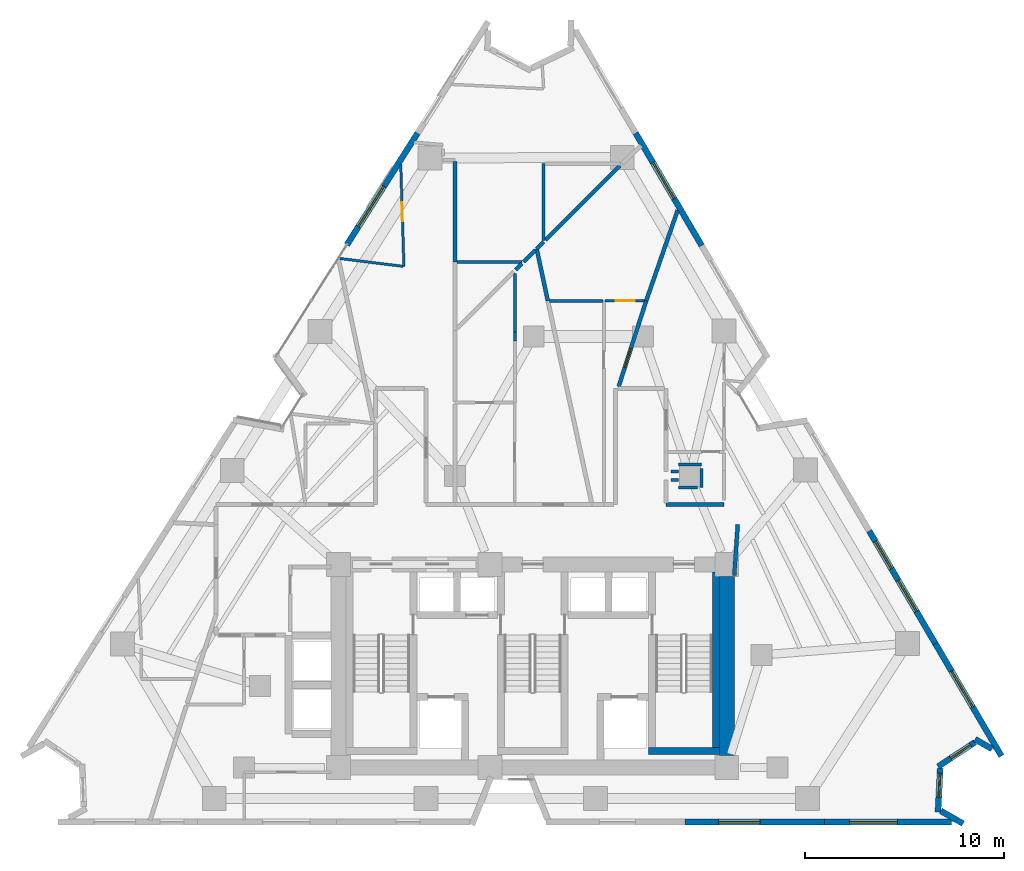
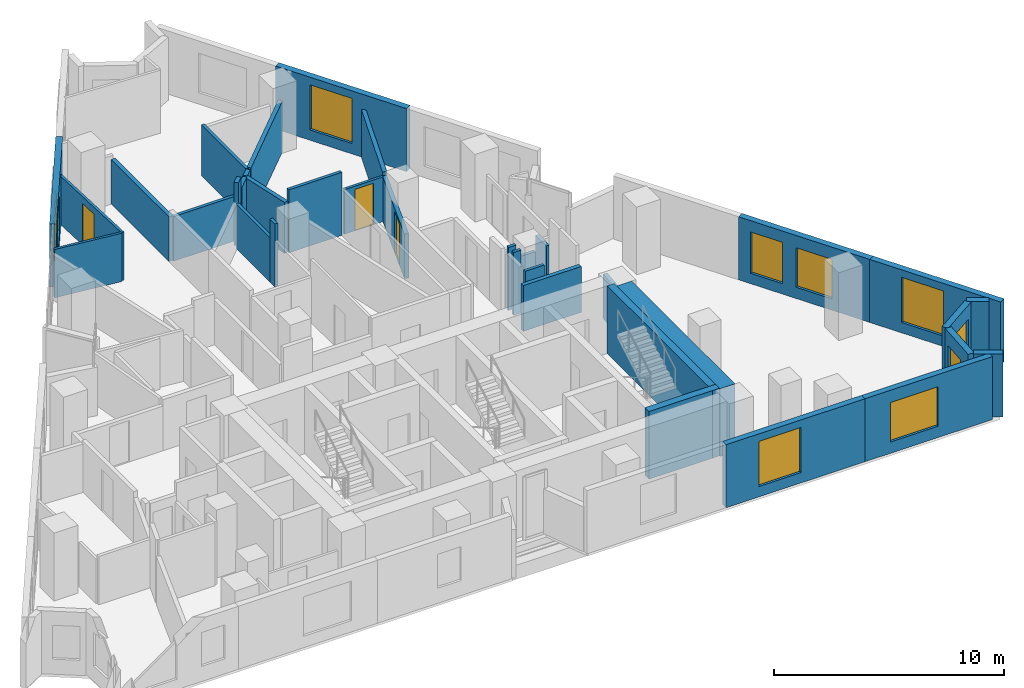
# One storey, part 8 of 12: 36 walls, 9 windows, 3 doors, 12 openings.
"""IFC4 building model written with IfcOpenShell, lengths in metres."""

from ifc_helpers import new_model, si_unit, direction, frame, frame_2d, origin, place, context, subcontext, project, spatial, rectangle, extrude, material, layer, layer_set, type_object, element, fill, save


model = new_model("IFC4")

# Units and contexts
model_context = context("Model", 3, precision=1e-05, world=origin(), true_north=direction((0.0, 1.0)))
body_context = subcontext(model_context, "Body", "Model", "MODEL_VIEW")
ifc_project = project(units=[si_unit("LENGTHUNIT", "METRE"), si_unit("AREAUNIT", "SQUARE_METRE"), si_unit("VOLUMEUNIT", "CUBIC_METRE"), si_unit("PLANEANGLEUNIT", "RADIAN"), si_unit("MASSUNIT", "GRAM", prefix="KILO")], contexts=[model_context])

# Site, building, storey
site_placement = place(None, origin())
site = spatial("IfcSite", under=ifc_project, at=site_placement, CompositionType="ELEMENT")
building_placement = place(site_placement, origin())
building = spatial("IfcBuilding", under=site, at=building_placement, Name="Almagre Mirador Tower", CompositionType="ELEMENT")
storey_placement = place(building_placement, frame((0.0, 0.0, 110.39990234375)))
storey = spatial("IfcBuildingStorey", under=building, at=storey_placement, Name="L27", CompositionType="ELEMENT", Elevation=110.39990234375)

# Wall, opening, window
ifc_material_1 = material(Name="Precast concrete C50/60", Category="concrete")
ifc_layer_1 = layer(ifc_material_1, 0.300048828125)
ifc_layer_set_1 = layer_set([ifc_layer_1], Name="Precast concrete C50/60")
wall_type_1 = type_object("IfcWallType", Name="WAL-EXT-300", PredefinedType="SOLIDWALL", material=ifc_layer_set_1)
wall_1_placement = place(storey_placement, frame((27.96435546875, 30.81005859375, 0.0), z_axis=(0.0, 0.0, 1.0), x_axis=(0.534892719091, 0.844919983823, 0.0)))
wall_1 = element("IfcWall", 1, at=wall_1_placement, inside=storey, type_object=wall_type_1, Name="L27 expressed almagre precast frame wall 03", PredefinedType="SOLIDWALL", context=body_context, shape_type="SweptSolid", body=[
    extrude(rectangle(XDim=6.6337890625, YDim=0.300048828125, at=frame_2d((3.31689453125, 0.0))), origin(), (0.0, 0.0, 1.0), 3.35009765625),
])
opening_1_placement = place(wall_1_placement, frame((1.074951171875, 0.0, 0.60009765625)))
opening_1 = element("IfcOpeningElement", 2, at=opening_1_placement, cuts=wall_1, Name="Opening WN-02", PredefinedType="OPENING", context=body_context, shape_type="SweptSolid", body=[
    extrude(rectangle(XDim=2.39990234375, YDim=2.10009765625, at=frame_2d((1.199951171875, 1.050048828125))), frame((0.0, 0.159902, 0.0), z_axis=(0.0, -1.0, 0.0), x_axis=(1.0, 0.0, 0.0)), (0.0, 0.0, 1.0), 0.320049),
])
ifc_material_2 = material(Name="Dark solar-control laminated hurricane glass", Category="glass")
window_type_1 = type_object("IfcWindowType", Name="WIN-2400X2100", PartitioningType="TRIPLE_PANEL_VERTICAL", PredefinedType="WINDOW", material=ifc_material_2)
window_1_placement = place(opening_1_placement, origin())
window_1 = element("IfcWindow", 3, at=window_1_placement, inside=storey, type_object=window_type_1, Name="L27 recessed hurricane window L27-UJ-KT", OverallHeight=2.10009765625, OverallWidth=2.39990234375, PartitioningType="SINGLE_PANEL", PredefinedType="WINDOW", context=body_context, shape_type="SweptSolid", body=[
    extrude(rectangle(XDim=2.39990234375, YDim=2.10009765625, at=frame_2d((1.199951171875, 1.050048828125))), frame((0.0, 0.030029296875, 0.0), z_axis=(0.0, -1.0, 0.0), x_axis=(1.0, 0.0, 0.0)), (0.0, 0.0, 1.0), 0.06005859375),
])
fill(opening_1, window_1)

wall_2_placement = place(storey_placement, frame((42.472412109375, 36.420166015625, 0.0), z_axis=(0.0, 0.0, 1.0), x_axis=(0.506315009763, -0.86234860172, 0.0)))
wall_2 = element("IfcWall", 4, at=wall_2_placement, inside=storey, type_object=wall_type_1, Name="L27 expressed almagre precast frame wall 10", PredefinedType="SOLIDWALL", context=body_context, shape_type="SweptSolid", body=[
    extrude(rectangle(XDim=6.553466796875, YDim=0.300048828125, at=frame_2d((3.27685546875, 0.0))), origin(), (0.0, 0.0, 1.0), 3.35009765625),
])
opening_2_placement = place(wall_2_placement, frame((1.72509765625, 0.0, 0.550048828125)))
opening_2 = element("IfcOpeningElement", 5, at=opening_2_placement, cuts=wall_2, Name="Opening WN-05", PredefinedType="OPENING", context=body_context, shape_type="SweptSolid", body=[
    extrude(rectangle(XDim=2.10009765625, YDim=2.39990234375, at=frame_2d((1.050048828125, 1.199951171875))), frame((0.0, 0.159902, 0.0), z_axis=(0.0, -1.0, 0.0), x_axis=(1.0, 0.0, 0.0)), (0.0, 0.0, 1.0), 0.320049),
])
ifc_material_3 = material(Name="Dark solar-control laminated hurricane glass", Category="glass")
window_type_2 = type_object("IfcWindowType", Name="WIN-2100X2400", PartitioningType="DOUBLE_PANEL_VERTICAL", PredefinedType="WINDOW", material=ifc_material_3)
window_2_placement = place(opening_2_placement, origin())
window_2 = element("IfcWindow", 6, at=window_2_placement, inside=storey, type_object=window_type_2, Name="L27 recessed hurricane window L27-UK-KT", OverallHeight=2.39990234375, OverallWidth=2.10009765625, PartitioningType="SINGLE_PANEL", PredefinedType="WINDOW", context=body_context, shape_type="SweptSolid", body=[
    extrude(rectangle(XDim=2.10009765625, YDim=2.39990234375, at=frame_2d((1.050048828125, 1.199951171875))), frame((0.0, 0.030029296875, 0.0), z_axis=(0.0, -1.0, 0.0), x_axis=(1.0, 0.0, 0.0)), (0.0, 0.0, 1.0), 0.06005859375),
])
fill(opening_2, window_2)

# Wall, openings, windows
wall_3_placement = place(storey_placement, frame((54.20947265625, 16.43115234375, 0.0), z_axis=(0.0, 0.0, 1.0), x_axis=(0.506315009763, -0.86234860172, 0.0)))
wall_3 = element("IfcWall", 7, at=wall_3_placement, inside=storey, type_object=wall_type_1, Name="L27 expressed almagre precast frame wall 15", PredefinedType="SOLIDWALL", context=body_context, shape_type="SweptSolid", body=[
    extrude(rectangle(XDim=6.553466796875, YDim=0.300048828125, at=frame_2d((3.27685546875, 0.0))), origin(), (0.0, 0.0, 1.0), 3.35009765625),
])
opening_3_placement = place(wall_3_placement, frame((2.875, 0.0, 0.60009765625)))
opening_3 = element("IfcOpeningElement", 8, at=opening_3_placement, cuts=wall_3, Name="Opening WN-01", PredefinedType="OPENING", context=body_context, shape_type="SweptSolid", body=[
    extrude(rectangle(XDim=1.800048828125, YDim=2.10009765625, at=frame_2d((0.89990234375, 1.050048828125))), frame((0.0, 0.159902, 0.0), z_axis=(0.0, -1.0, 0.0), x_axis=(1.0, 0.0, 0.0)), (0.0, 0.0, 1.0), 0.320049),
])
opening_4_placement = place(wall_3_placement, frame((0.60009765625, 0.0, 0.550048828125)))
opening_4 = element("IfcOpeningElement", 9, at=opening_4_placement, cuts=wall_3, Name="Opening WN-06", PredefinedType="OPENING", context=body_context, shape_type="SweptSolid", body=[
    extrude(rectangle(XDim=1.60009765625, YDim=2.199951171875, at=frame_2d((0.800048828125, 1.10009765625))), frame((0.0, 0.159902, 0.0), z_axis=(0.0, -1.0, 0.0), x_axis=(1.0, 0.0, 0.0)), (0.0, 0.0, 1.0), 0.320049),
])
ifc_material_4 = material(Name="Dark solar-control laminated hurricane glass", Category="glass")
window_type_3 = type_object("IfcWindowType", Name="WIN-1600X2200", PartitioningType="DOUBLE_PANEL_VERTICAL", PredefinedType="WINDOW", material=ifc_material_4)
window_3_placement = place(opening_4_placement, origin())
window_3 = element("IfcWindow", 10, at=window_3_placement, inside=storey, type_object=window_type_3, Name="L27 recessed hurricane window L27-UC-HB", OverallHeight=2.199951171875, OverallWidth=1.60009765625, PartitioningType="SINGLE_PANEL", PredefinedType="WINDOW", context=body_context, shape_type="SweptSolid", body=[
    extrude(rectangle(XDim=1.60009765625, YDim=2.199951171875, at=frame_2d((0.800048828125, 1.10009765625))), frame((0.0, 0.030029296875, 0.0), z_axis=(0.0, -1.0, 0.0), x_axis=(1.0, 0.0, 0.0)), (0.0, 0.0, 1.0), 0.06005859375),
])
fill(opening_4, window_3)
ifc_material_5 = material(Name="Dark solar-control laminated hurricane glass", Category="glass")
window_type_4 = type_object("IfcWindowType", Name="WIN-1800X2100", PartitioningType="DOUBLE_PANEL_VERTICAL", PredefinedType="WINDOW", material=ifc_material_5)
window_4_placement = place(opening_3_placement, origin())
window_4 = element("IfcWindow", 11, at=window_4_placement, inside=storey, type_object=window_type_4, Name="L27 recessed hurricane window L27-UC-LV", OverallHeight=2.10009765625, OverallWidth=1.800048828125, PartitioningType="SINGLE_PANEL", PredefinedType="WINDOW", context=body_context, shape_type="SweptSolid", body=[
    extrude(rectangle(XDim=1.800048828125, YDim=2.10009765625, at=frame_2d((0.89990234375, 1.050048828125))), frame((0.0, 0.030029296875, 0.0), z_axis=(0.0, -1.0, 0.0), x_axis=(1.0, 0.0, 0.0)), (0.0, 0.0, 1.0), 0.06005859375),
])
fill(opening_3, window_4)

# Wall, opening, window
wall_4_placement = place(storey_placement, frame((57.527587890625, 10.77978515625, 0.0), z_axis=(0.0, 0.0, 1.0), x_axis=(0.506342712509, -0.862332335871, 0.0)))
wall_4 = element("IfcWall", 12, at=wall_4_placement, inside=storey, type_object=wall_type_1, Name="L27 expressed almagre precast frame wall 16", PredefinedType="SOLIDWALL", context=body_context, shape_type="SweptSolid", body=[
    extrude(rectangle(XDim=6.553466796875, YDim=0.300048828125, at=frame_2d((3.27685546875, 0.0))), origin(), (0.0, 0.0, 1.0), 3.35009765625),
])
opening_5_placement = place(wall_4_placement, frame((1.60009765625, 0.0, 0.550048828125)))
opening_5 = element("IfcOpeningElement", 13, at=opening_5_placement, cuts=wall_4, Name="Opening WN-05", PredefinedType="OPENING", context=body_context, shape_type="SweptSolid", body=[
    extrude(rectangle(XDim=2.10009765625, YDim=2.39990234375, at=frame_2d((1.050048828125, 1.199951171875))), frame((0.0, 0.159902, 0.0), z_axis=(0.0, -1.0, 0.0), x_axis=(1.0, 0.0, 0.0)), (0.0, 0.0, 1.0), 0.320049),
])
window_5_placement = place(opening_5_placement, origin())
window_5 = element("IfcWindow", 14, at=window_5_placement, inside=storey, type_object=window_type_2, Name="L27 recessed hurricane window L27-UC-MB", OverallHeight=2.39990234375, OverallWidth=2.10009765625, PartitioningType="SINGLE_PANEL", PredefinedType="WINDOW", context=body_context, shape_type="SweptSolid", body=[
    extrude(rectangle(XDim=2.10009765625, YDim=2.39990234375, at=frame_2d((1.050048828125, 1.199951171875))), frame((0.0, 0.030029296875, 0.0), z_axis=(0.0, -1.0, 0.0), x_axis=(1.0, 0.0, 0.0)), (0.0, 0.0, 1.0), 0.06005859375),
])
fill(opening_5, window_5)

# Wall
wall_5_placement = place(storey_placement, frame((60.37158203125, 5.47998046875, 0.0), z_axis=(0.0, 0.0, 1.0), x_axis=(-0.867706517509, 0.497076854694, 0.0)))
element("IfcWall", 15, at=wall_5_placement, inside=storey, type_object=wall_type_1, Name="L27 expressed almagre precast frame wall 17", PredefinedType="SOLIDWALL", context=body_context, shape_type="SweptSolid", body=[
    extrude(rectangle(XDim=0.980712890625, YDim=0.300048828125, at=frame_2d((0.490234375, 0.0))), origin(), (0.0, 0.0, 1.0), 3.35009765625),
])

# Wall, opening, window
wall_6_placement = place(storey_placement, frame((59.52099609375, 5.818115234375, 0.0), z_axis=(0.0, 0.0, 1.0), x_axis=(-0.834712479674, -0.550686005158, 0.0)))
wall_6 = element("IfcWall", 16, at=wall_6_placement, inside=storey, type_object=wall_type_1, Name="L27 expressed almagre precast frame wall 18", PredefinedType="SOLIDWALL", context=body_context, shape_type="SweptSolid", body=[
    extrude(rectangle(XDim=2.22119140625, YDim=0.300048828125, at=frame_2d((1.110595703125, 0.0))), origin(), (0.0, 0.0, 1.0), 3.35009765625),
])
opening_6_placement = place(wall_6_placement, frame((0.264892578125, 0.0, 0.800048828125)))
opening_6 = element("IfcOpeningElement", 17, at=opening_6_placement, cuts=wall_6, Name="Opening WN-04", PredefinedType="OPENING", context=body_context, shape_type="SweptSolid", body=[
    extrude(rectangle(XDim=1.199951171875, YDim=1.800048828125, at=frame_2d((0.60009765625, 0.89990234375))), frame((0.0, 0.159902, 0.0), z_axis=(0.0, -1.0, 0.0), x_axis=(1.0, 0.0, 0.0)), (0.0, 0.0, 1.0), 0.320049),
])
ifc_material_6 = material(Name="Dark solar-control laminated hurricane glass", Category="glass")
window_type_5 = type_object("IfcWindowType", Name="WIN-1200X1800", PartitioningType="SINGLE_PANEL", PredefinedType="WINDOW", material=ifc_material_6)
window_6_placement = place(opening_6_placement, origin())
window_6 = element("IfcWindow", 18, at=window_6_placement, inside=storey, type_object=window_type_5, Name="L27 recessed hurricane window L27-UC-MB", OverallHeight=1.800048828125, OverallWidth=1.199951171875, PartitioningType="SINGLE_PANEL", PredefinedType="WINDOW", context=body_context, shape_type="SweptSolid", body=[
    extrude(rectangle(XDim=1.199951171875, YDim=1.800048828125, at=frame_2d((0.60009765625, 0.89990234375))), frame((0.0, 0.030029296875, 0.0), z_axis=(0.0, -1.0, 0.0), x_axis=(1.0, 0.0, 0.0)), (0.0, 0.0, 1.0), 0.06005859375),
])
fill(opening_6, window_6)

wall_7_placement = place(storey_placement, frame((57.77587890625, 4.51708984375, 0.0), z_axis=(0.0, 0.0, 1.0), x_axis=(-0.052535661709, -0.998619048611, 0.0)))
wall_7 = element("IfcWall", 19, at=wall_7_placement, inside=storey, type_object=wall_type_1, Name="L27 expressed almagre precast frame wall 19", PredefinedType="SOLIDWALL", context=body_context, shape_type="SweptSolid", body=[
    extrude(rectangle(XDim=2.212158203125, YDim=0.300048828125, at=frame_2d((1.10595703125, 0.0))), origin(), (0.0, 0.0, 1.0), 3.35009765625),
])
opening_7_placement = place(wall_7_placement, frame((0.2548828125, 0.0, 0.800048828125)))
opening_7 = element("IfcOpeningElement", 20, at=opening_7_placement, cuts=wall_7, Name="Opening WN-04", PredefinedType="OPENING", context=body_context, shape_type="SweptSolid", body=[
    extrude(rectangle(XDim=1.199951171875, YDim=1.800048828125, at=frame_2d((0.60009765625, 0.89990234375))), frame((0.0, 0.159902, 0.0), z_axis=(0.0, -1.0, 0.0), x_axis=(1.0, 0.0, 0.0)), (0.0, 0.0, 1.0), 0.320049),
])
window_7_placement = place(opening_7_placement, origin())
window_7 = element("IfcWindow", 21, at=window_7_placement, inside=storey, type_object=window_type_5, Name="L27 recessed hurricane window L27-UC-MB", OverallHeight=1.800048828125, OverallWidth=1.199951171875, PartitioningType="SINGLE_PANEL", PredefinedType="WINDOW", context=body_context, shape_type="SweptSolid", body=[
    extrude(rectangle(XDim=1.199951171875, YDim=1.800048828125, at=frame_2d((0.60009765625, 0.89990234375))), frame((0.0, 0.030029296875, 0.0), z_axis=(0.0, -1.0, 0.0), x_axis=(1.0, 0.0, 0.0)), (0.0, 0.0, 1.0), 0.06005859375),
])
fill(opening_7, window_7)

# Wall
wall_8_placement = place(storey_placement, frame((57.797119140625, 2.37353515625, 0.0), z_axis=(0.0, 0.0, 1.0), x_axis=(0.868034267217, -0.496504290955, 0.0)))
element("IfcWall", 22, at=wall_8_placement, inside=storey, type_object=wall_type_1, Name="L27 expressed almagre precast frame wall 20", PredefinedType="SOLIDWALL", context=body_context, shape_type="SweptSolid", body=[
    extrude(rectangle(XDim=1.295166015625, YDim=0.300048828125, at=frame_2d((0.6474609375, 0.0))), origin(), (0.0, 0.0, 1.0), 3.35009765625),
])

# Wall, opening, window
wall_9_placement = place(storey_placement, frame((58.35009765625, 1.800048828125, 0.0), z_axis=(0.0, 0.0, 1.0), x_axis=(-1.0, 0.0, 0.0)))
wall_9 = element("IfcWall", 23, at=wall_9_placement, inside=storey, type_object=wall_type_1, Name="L27 expressed almagre precast frame wall 21", PredefinedType="SOLIDWALL", context=body_context, shape_type="SweptSolid", body=[
    extrude(rectangle(XDim=6.4033203125, YDim=0.300048828125, at=frame_2d((3.20166015625, 0.0))), origin(), (0.0, 0.0, 1.0), 3.35009765625),
])
opening_8_placement = place(wall_9_placement, frame((2.735107421875, 0.0, 0.60009765625)))
opening_8 = element("IfcOpeningElement", 24, at=opening_8_placement, cuts=wall_9, Name="Opening WN-02", PredefinedType="OPENING", context=body_context, shape_type="SweptSolid", body=[
    extrude(rectangle(XDim=2.39990234375, YDim=2.10009765625, at=frame_2d((1.199951171875, 1.050048828125))), frame((0.0, 0.159902, 0.0), z_axis=(0.0, -1.0, 0.0), x_axis=(1.0, 0.0, 0.0)), (0.0, 0.0, 1.0), 0.320049),
])
window_8_placement = place(opening_8_placement, origin())
window_8 = element("IfcWindow", 25, at=window_8_placement, inside=storey, type_object=window_type_1, Name="L27 recessed hurricane window L27-UC-KT", OverallHeight=2.10009765625, OverallWidth=2.39990234375, PartitioningType="SINGLE_PANEL", PredefinedType="WINDOW", context=body_context, shape_type="SweptSolid", body=[
    extrude(rectangle(XDim=2.39990234375, YDim=2.10009765625, at=frame_2d((1.199951171875, 1.050048828125))), frame((0.0, 0.030029296875, 0.0), z_axis=(0.0, -1.0, 0.0), x_axis=(1.0, 0.0, 0.0)), (0.0, 0.0, 1.0), 0.06005859375),
])
fill(opening_8, window_8)

wall_10_placement = place(storey_placement, frame((51.94677734375, 1.800048828125, 0.0), z_axis=(0.0, 0.0, 1.0), x_axis=(-1.0, 0.0, 0.0)))
wall_10 = element("IfcWall", 26, at=wall_10_placement, inside=storey, type_object=wall_type_1, Name="L27 expressed almagre precast frame wall 22", PredefinedType="SOLIDWALL", context=body_context, shape_type="SweptSolid", body=[
    extrude(rectangle(XDim=6.993408203125, YDim=0.300048828125, at=frame_2d((3.49658203125, 0.0))), origin(), (0.0, 0.0, 1.0), 3.35009765625),
])
opening_9_placement = place(wall_10_placement, frame((3.22509765625, 0.0, 0.550048828125)))
opening_9 = element("IfcOpeningElement", 27, at=opening_9_placement, cuts=wall_10, Name="Opening WN-05", PredefinedType="OPENING", context=body_context, shape_type="SweptSolid", body=[
    extrude(rectangle(XDim=2.10009765625, YDim=2.39990234375, at=frame_2d((1.050048828125, 1.199951171875))), frame((0.0, 0.159902, 0.0), z_axis=(0.0, -1.0, 0.0), x_axis=(1.0, 0.0, 0.0)), (0.0, 0.0, 1.0), 0.320049),
])
window_9_placement = place(opening_9_placement, origin())
window_9 = element("IfcWindow", 28, at=window_9_placement, inside=storey, type_object=window_type_2, Name="L27 recessed hurricane window L27-RST-B", OverallHeight=2.39990234375, OverallWidth=2.10009765625, PartitioningType="SINGLE_PANEL", PredefinedType="WINDOW", context=body_context, shape_type="SweptSolid", body=[
    extrude(rectangle(XDim=2.10009765625, YDim=2.39990234375, at=frame_2d((1.050048828125, 1.199951171875))), frame((0.0, 0.030029296875, 0.0), z_axis=(0.0, -1.0, 0.0), x_axis=(1.0, 0.0, 0.0)), (0.0, 0.0, 1.0), 0.06005859375),
])
fill(opening_9, window_9)

# Wall, opening, door
ifc_material_7 = material(Name="Gypsum acoustic stud partition", Category="other")
ifc_layer_2 = layer(ifc_material_7, 0.125)
ifc_layer_set_2 = layer_set([ifc_layer_2], Name="Gypsum acoustic stud partition")
wall_type_2 = type_object("IfcWallType", Name="WAL-PRT-125-UTL", PredefinedType="PARTITIONING", material=ifc_layer_set_2)
wall_11_placement = place(storey_placement, frame((30.6708984375, 34.864990234375, 0.0), z_axis=(0.0, 0.0, 1.0), x_axis=(0.030923800782, -0.999521744909, 0.0)))
wall_11 = element("IfcWall", 29, at=wall_11_placement, inside=storey, type_object=wall_type_2, Name="L27 interior partition 076", PredefinedType="PARTITIONING", context=body_context, shape_type="SweptSolid", body=[
    extrude(rectangle(XDim=5.1474609375, YDim=0.125, at=frame_2d((2.57373046875, 0.0))), origin(), (0.0, 0.0, 1.0), 2.570068359375),
])
opening_10_placement = place(wall_11_placement, frame((1.92431640625, 0.0, 0.0)))
opening_10 = element("IfcOpeningElement", 30, at=opening_10_placement, cuts=wall_11, Name="Opening UD-01", PredefinedType="OPENING", context=body_context, shape_type="SweptSolid", body=[
    extrude(rectangle(XDim=0.949951171875, YDim=2.199951171875, at=frame_2d((0.47509765625, 1.10009765625))), frame((0.0, 0.0725, 0.0), z_axis=(0.0, -1.0, 0.0), x_axis=(1.0, 0.0, 0.0)), (0.0, 0.0, 1.0), 0.145),
])
ifc_material_8 = material(Name="Solid American walnut timber", Category="wood")
door_type_1 = type_object("IfcDoorType", Name="DOR-UNR-950X2200", OperationType="NOTDEFINED", PredefinedType="DOOR", material=ifc_material_8)
door_1_placement = place(opening_10_placement, origin())
door_1 = element("IfcDoor", 31, at=door_1_placement, inside=storey, type_object=door_type_1, Name="DR-0900 L27 interior door L27-UJ-LV to L27-UJ-KT", OperationType="SINGLE_SWING_RIGHT", OverallHeight=2.199951171875, OverallWidth=0.949951171875, PredefinedType="DOOR", context=body_context, shape_type="SweptSolid", body=[
    extrude(rectangle(XDim=0.949951171875, YDim=2.199951171875, at=frame_2d((0.47509765625, 1.10009765625))), frame((0.0, 0.02490234375, 0.0), z_axis=(0.0, -1.0, 0.0), x_axis=(1.0, 0.0, 0.0)), (0.0, 0.0, 1.0), 0.050048828125),
])
fill(opening_10, door_1)

# Wall
wall_12_placement = place(storey_placement, frame((27.617431640625, 30.118408203125, 0.0), z_axis=(0.0, 0.0, 1.0), x_axis=(0.992397517991, -0.123073824536, 0.0)))
element("IfcWall", 32, at=wall_12_placement, inside=storey, type_object=wall_type_2, Name="L27 interior partition 081", PredefinedType="PARTITIONING", context=body_context, shape_type="SweptSolid", body=[
    extrude(rectangle(XDim=3.189697265625, YDim=0.125, at=frame_2d((1.5947265625, 0.0))), origin(), (0.0, 0.0, 1.0), 2.570068359375),
])

# Wall, opening, door
wall_13_placement = place(storey_placement, frame((42.9150390625, 27.989990234375, 0.0), z_axis=(0.0, 0.0, 1.0), x_axis=(-1.0, 0.0, 0.0)))
wall_13 = element("IfcWall", 33, at=wall_13_placement, inside=storey, type_object=wall_type_2, Name="L27 interior partition 083", PredefinedType="PARTITIONING", context=body_context, shape_type="SweptSolid", body=[
    extrude(rectangle(XDim=1.97509765625, YDim=0.125, at=frame_2d((0.987548828125, 0.0))), origin(), (0.0, 0.0, 1.0), 2.3720703125),
])
opening_11_placement = place(wall_13_placement, frame((0.5, 0.0, 0.0)))
opening_11 = element("IfcOpeningElement", 34, at=opening_11_placement, cuts=wall_13, Name="Opening UD-01", PredefinedType="OPENING", context=body_context, shape_type="SweptSolid", body=[
    extrude(rectangle(XDim=0.949951171875, YDim=2.199951171875, at=frame_2d((0.47509765625, 1.10009765625))), frame((0.0, 0.0725, 0.0), z_axis=(0.0, -1.0, 0.0), x_axis=(1.0, 0.0, 0.0)), (0.0, 0.0, 1.0), 0.145),
])
door_2_placement = place(opening_11_placement, origin())
door_2 = element("IfcDoor", 35, at=door_2_placement, inside=storey, type_object=door_type_1, Name="DR-0901 L27 interior door L27-UK-ST to L27-UK-KT", OperationType="SINGLE_SWING_RIGHT", OverallHeight=2.199951171875, OverallWidth=0.949951171875, PredefinedType="DOOR", context=body_context, shape_type="SweptSolid", body=[
    extrude(rectangle(XDim=0.949951171875, YDim=2.199951171875, at=frame_2d((0.47509765625, 1.10009765625))), frame((0.0, 0.02490234375, 0.0), z_axis=(0.0, -1.0, 0.0), x_axis=(1.0, 0.0, 0.0)), (0.0, 0.0, 1.0), 0.050048828125),
])
fill(opening_11, door_2)

# Walls
ifc_material_9 = material(Name="Gypsum acoustic stud partition", Category="other")
ifc_layer_3 = layer(ifc_material_9, 0.14990234375)
ifc_layer_set_3 = layer_set([ifc_layer_3], Name="Gypsum acoustic stud partition")
wall_type_3 = type_object("IfcWallType", Name="WAL-PRT-150-STD", PredefinedType="PARTITIONING", material=ifc_layer_set_3)
wall_14_placement = place(storey_placement, frame((36.39990234375, 29.364990234375, 0.0), z_axis=(0.0, 0.0, 1.0), x_axis=(0.0, -1.0, 0.0)))
element("IfcWall", 36, at=wall_14_placement, inside=storey, type_object=wall_type_3, Name="L27 interior partition 058", PredefinedType="PARTITIONING", context=body_context, shape_type="SweptSolid", body=[
    extrude(rectangle(XDim=2.945068359375, YDim=0.14990234375, at=frame_2d((1.47265625, 0.0))), origin(), (0.0, 0.0, 1.0), 2.3720703125),
])
wall_15_placement = place(storey_placement, frame((40.820068359375, 27.989990234375, 0.0), z_axis=(0.0, 0.0, 1.0), x_axis=(-1.0, 0.0, 0.0)))
element("IfcWall", 37, at=wall_15_placement, inside=storey, type_object=wall_type_3, Name="L27 interior partition 084", PredefinedType="PARTITIONING", context=body_context, shape_type="SweptSolid", body=[
    extrude(rectangle(XDim=2.675048828125, YDim=0.14990234375, at=frame_2d((1.33740234375, 0.0))), origin(), (0.0, 0.0, 1.0), 3.35009765625),
])
wall_16_placement = place(storey_placement, frame((33.485107421875, 29.949951171875, 0.0), z_axis=(0.0, 0.0, 1.0), x_axis=(1.0, 0.0, 0.0)))
element("IfcWall", 38, at=wall_16_placement, inside=storey, type_object=wall_type_3, Name="L27 interior partition 088", PredefinedType="PARTITIONING", context=body_context, shape_type="SweptSolid", body=[
    extrude(rectangle(XDim=3.27978515625, YDim=0.14990234375, at=frame_2d((1.639892578125, 0.0))), origin(), (0.0, 0.0, 1.0), 2.3720703125),
])
wall_17_placement = place(storey_placement, frame((37.85009765625, 31.034912109375, 0.0), z_axis=(0.0, 0.0, 1.0), x_axis=(0.0, 1.0, 0.0)))
element("IfcWall", 39, at=wall_17_placement, inside=storey, type_object=wall_type_3, Name="L27 interior partition 091", PredefinedType="PARTITIONING", context=body_context, shape_type="SweptSolid", body=[
    extrude(rectangle(XDim=3.85498046875, YDim=0.14990234375, at=frame_2d((1.927490234375, 0.0))), origin(), (0.0, 0.0, 1.0), 2.708984375),
])
wall_18_placement = place(storey_placement, frame((36.39990234375, 25.97998046875, 0.0), z_axis=(0.0, 0.0, 1.0), x_axis=(0.0, 1.0, 0.0)))
element("IfcWall", 40, at=wall_18_placement, inside=storey, type_object=wall_type_3, Name="L27 interior partition 099", PredefinedType="PARTITIONING", context=body_context, shape_type="SweptSolid", body=[
    extrude(rectangle(XDim=0.43994140625, YDim=0.14990234375, at=frame_2d((0.219970703125, 0.0))), origin(), (0.0, 0.0, 1.0), 3.35009765625),
])
wall_19_placement = place(storey_placement, frame((44.239990234375, 19.419921875, 0.0), z_axis=(0.0, 0.0, 1.0), x_axis=(1.0, 0.0, 0.0)))
element("IfcWall", 41, at=wall_19_placement, inside=storey, type_object=wall_type_3, Name="L27 interior partition 100", PredefinedType="PARTITIONING", context=body_context, shape_type="SweptSolid", body=[
    extrude(rectangle(XDim=0.380126953125, YDim=0.14990234375, at=frame_2d((0.18994140625, 0.0))), origin(), (0.0, 0.0, 1.0), 3.35009765625),
])
wall_20_placement = place(storey_placement, frame((44.6201171875, 19.780029296875, 0.0), z_axis=(0.0, 0.0, 1.0), x_axis=(1.0, 0.0, 0.0)))
element("IfcWall", 42, at=wall_20_placement, inside=storey, type_object=wall_type_3, Name="L27 interior partition 101", PredefinedType="PARTITIONING", context=body_context, shape_type="SweptSolid", body=[
    extrude(rectangle(XDim=1.169921875, YDim=0.14990234375, at=frame_2d((0.5849609375, 0.0))), origin(), (0.0, 0.0, 1.0), 2.3720703125),
])
wall_21_placement = place(storey_placement, frame((45.7900390625, 19.56494140625, 0.0), z_axis=(0.0, 0.0, 1.0), x_axis=(0.0, -1.0, 0.0)))
element("IfcWall", 43, at=wall_21_placement, inside=storey, type_object=wall_type_3, Name="L27 interior partition 102", PredefinedType="PARTITIONING", context=body_context, shape_type="SweptSolid", body=[
    extrude(rectangle(XDim=0.94482421875, YDim=0.14990234375, at=frame_2d((0.472412109375, 0.0))), origin(), (0.0, 0.0, 1.0), 3.35009765625),
])
wall_22_placement = place(storey_placement, frame((45.574951171875, 18.6201171875, 0.0), z_axis=(0.0, 0.0, 1.0), x_axis=(-1.0, 0.0, 0.0)))
element("IfcWall", 44, at=wall_22_placement, inside=storey, type_object=wall_type_3, Name="L27 interior partition 103", PredefinedType="PARTITIONING", context=body_context, shape_type="SweptSolid", body=[
    extrude(rectangle(XDim=0.954833984375, YDim=0.14990234375, at=frame_2d((0.4775390625, 0.0))), origin(), (0.0, 0.0, 1.0), 2.43603515625),
])
wall_23_placement = place(storey_placement, frame((44.6201171875, 18.97998046875, 0.0), z_axis=(0.0, 0.0, 1.0), x_axis=(-1.0, 0.0, 0.0)))
element("IfcWall", 45, at=wall_23_placement, inside=storey, type_object=wall_type_3, Name="L27 interior partition 104", PredefinedType="PARTITIONING", context=body_context, shape_type="SweptSolid", body=[
    extrude(rectangle(XDim=0.380126953125, YDim=0.14990234375, at=frame_2d((0.18994140625, 0.0))), origin(), (0.0, 0.0, 1.0), 3.35009765625),
])
ifc_material_10 = material(Name="Gypsum acoustic stud partition", Category="other")
ifc_layer_4 = layer(ifc_material_10, 0.199951171875)
ifc_layer_set_4 = layer_set([ifc_layer_4], Name="Gypsum acoustic stud partition")
wall_type_4 = type_object("IfcWallType", Name="WAL-PRT-200-EI60", PredefinedType="PARTITIONING", material=ifc_layer_set_4)
wall_24_placement = place(storey_placement, frame((47.425048828125, 14.199951171875, 0.0), z_axis=(0.0, 0.0, 1.0), x_axis=(0.068484119878, 0.997652206595, 0.0)))
element("IfcWall", 46, at=wall_24_placement, inside=storey, type_object=wall_type_4, Name="L27 interior partition 004", PredefinedType="PARTITIONING", context=body_context, shape_type="SweptSolid", body=[
    extrude(rectangle(XDim=2.55615234375, YDim=0.199951171875, at=frame_2d((1.278076171875, 0.0))), origin(), (0.0, 0.0, 1.0), 2.3720703125),
])
wall_25_placement = place(storey_placement, frame((46.919921875, 17.75, 0.0), z_axis=(0.0, 0.0, 1.0), x_axis=(-1.0, 0.0, 0.0)))
element("IfcWall", 47, at=wall_25_placement, inside=storey, type_object=wall_type_4, Name="L27 interior partition 014", PredefinedType="PARTITIONING", context=body_context, shape_type="SweptSolid", body=[
    extrude(rectangle(XDim=2.919921875, YDim=0.199951171875, at=frame_2d((1.4599609375, 0.0))), origin(), (0.0, 0.0, 1.0), 2.43603515625),
])
wall_26_placement = place(storey_placement, frame((38.06005859375, 27.989990234375, 0.0), z_axis=(0.0, 0.0, 1.0), x_axis=(-0.209797646084, 0.977744827497, 0.0)))
element("IfcWall", 48, at=wall_26_placement, inside=storey, type_object=wall_type_4, Name="L27 interior partition 061", PredefinedType="PARTITIONING", context=body_context, shape_type="SweptSolid", body=[
    extrude(rectangle(XDim=2.66943359375, YDim=0.199951171875, at=frame_2d((1.334716796875, 0.0))), origin(), (0.0, 0.0, 1.0), 2.708984375),
])
wall_27_placement = place(storey_placement, frame((37.43994140625, 30.539794921875, 0.0), z_axis=(0.0, 0.0, 1.0), x_axis=(-0.707106781187, -0.707106781187, 0.0)))
element("IfcWall", 49, at=wall_27_placement, inside=storey, type_object=wall_type_4, Name="L27 interior partition 062", PredefinedType="PARTITIONING", context=body_context, shape_type="SweptSolid", body=[
    extrude(rectangle(XDim=0.834228515625, YDim=0.199951171875, at=frame_2d((0.4169921875, 0.0))), origin(), (0.0, 0.0, 1.0), 2.708984375),
])
wall_28_placement = place(storey_placement, frame((36.758056640625, 29.858154296875, 0.0), z_axis=(0.0, 0.0, 1.0), x_axis=(-0.707106781187, -0.707106781187, 0.0)))
element("IfcWall", 50, at=wall_28_placement, inside=storey, type_object=wall_type_4, Name="L27 interior partition 063", PredefinedType="PARTITIONING", context=body_context, shape_type="SweptSolid", body=[
    extrude(rectangle(XDim=0.446533203125, YDim=0.199951171875, at=frame_2d((0.22314453125, 0.0))), origin(), (0.0, 0.0, 1.0), 3.35009765625),
])

# Wall, opening, door
wall_29_placement = place(storey_placement, frame((43.0, 27.989990234375, 0.0), z_axis=(0.0, 0.0, 1.0), x_axis=(-0.305803129518, -0.95209476733, 0.0)))
wall_29 = element("IfcWall", 51, at=wall_29_placement, inside=storey, type_object=wall_type_4, Name="L27 interior partition 071", PredefinedType="PARTITIONING", context=body_context, shape_type="SweptSolid", body=[
    extrude(rectangle(XDim=4.52587890625, YDim=0.199951171875, at=frame_2d((2.262939453125, 0.0))), origin(), (0.0, 0.0, 1.0), 2.3720703125),
])
opening_12_placement = place(wall_29_placement, frame((2.519287109375, 0.0, 0.0)))
opening_12 = element("IfcOpeningElement", 52, at=opening_12_placement, cuts=wall_29, Name="Opening ID-01", PredefinedType="OPENING", context=body_context, shape_type="SweptSolid", body=[
    extrude(rectangle(XDim=1.0, YDim=2.199951171875, at=frame_2d((0.5, 1.10009765625))), frame((0.0, 0.110098, 0.0), z_axis=(0.0, -1.0, 0.0), x_axis=(1.0, 0.0, 0.0)), (0.0, 0.0, 1.0), 0.219951),
])
ifc_material_11 = material(Name="Fire-rated walnut timber", Category="wood")
door_type_2 = type_object("IfcDoorType", Name="DOR-FD60-1000X2200", OperationType="NOTDEFINED", PredefinedType="DOOR", material=ifc_material_11)
door_3_placement = place(opening_12_placement, origin())
door_3 = element("IfcDoor", 53, at=door_3_placement, inside=storey, type_object=door_type_2, Name="DR-0903 L27 interior door L27-UH-LV to L27-UK-ST", OperationType="SINGLE_SWING_RIGHT", OverallHeight=2.199951171875, OverallWidth=1.0, PredefinedType="DOOR", context=body_context, shape_type="SweptSolid", body=[
    extrude(rectangle(XDim=1.0, YDim=2.199951171875, at=frame_2d((0.5, 1.10009765625))), frame((0.0, 0.02490234375, 0.0), z_axis=(0.0, -1.0, 0.0), x_axis=(1.0, 0.0, 0.0)), (0.0, 0.0, 1.0), 0.050048828125),
])
fill(opening_12, door_3)

# Walls
wall_30_placement = place(storey_placement, frame((44.5810546875, 32.5419921875, 0.0), z_axis=(0.0, 0.0, 1.0), x_axis=(-0.328103998337, -0.944641607318, 0.0)))
element("IfcWall", 54, at=wall_30_placement, inside=storey, type_object=wall_type_4, Name="L27 interior partition 072", PredefinedType="PARTITIONING", context=body_context, shape_type="SweptSolid", body=[
    extrude(rectangle(XDim=4.81884765625, YDim=0.199951171875, at=frame_2d((2.409423828125, 0.0))), origin(), (0.0, 0.0, 1.0), 2.570068359375),
])
wall_31_placement = place(storey_placement, frame((33.39990234375, 29.949951171875, 0.0), z_axis=(0.0, 0.0, 1.0), x_axis=(0.0, 1.0, 0.0)))
element("IfcWall", 55, at=wall_31_placement, inside=storey, type_object=wall_type_4, Name="L27 interior partition 078", PredefinedType="PARTITIONING", context=body_context, shape_type="SweptSolid", body=[
    extrude(rectangle(XDim=5.050048828125, YDim=0.199951171875, at=frame_2d((2.52490234375, 0.0))), origin(), (0.0, 0.0, 1.0), 2.3720703125),
])
wall_32_placement = place(storey_placement, frame((37.85009765625, 30.949951171875, 0.0), z_axis=(0.0, 0.0, 1.0), x_axis=(-0.707353374636, -0.706860101711, 0.0)))
element("IfcWall", 56, at=wall_32_placement, inside=storey, type_object=wall_type_4, Name="L27 interior partition 085", PredefinedType="PARTITIONING", context=body_context, shape_type="SweptSolid", body=[
    extrude(rectangle(XDim=0.494873046875, YDim=0.199951171875, at=frame_2d((0.24755859375, 0.0))), origin(), (0.0, 0.0, 1.0), 2.708984375),
])
wall_33_placement = place(storey_placement, frame((41.683837890625, 34.783935546875, 0.0), z_axis=(0.0, 0.0, 1.0), x_axis=(-0.707106781187, -0.707106781187, 0.0)))
element("IfcWall", 57, at=wall_33_placement, inside=storey, type_object=wall_type_4, Name="L27 interior partition 087", PredefinedType="PARTITIONING", context=body_context, shape_type="SweptSolid", body=[
    extrude(rectangle(XDim=5.2919921875, YDim=0.199951171875, at=frame_2d((2.64599609375, 0.0))), origin(), (0.0, 0.0, 1.0), 2.708984375),
])
ifc_material_12 = material(Name="Concrete C60/75", Category="concrete")
ifc_layer_5 = layer(ifc_material_12, 0.35009765625)
ifc_layer_set_5 = layer_set([ifc_layer_5], Name="Concrete C60/75")
wall_type_5 = type_object("IfcWallType", Name="WAL-SHF-350", PredefinedType="SOLIDWALL", material=ifc_layer_set_5)
wall_34_placement = place(storey_placement, frame((46.5, 5.199951171875, 0.0), z_axis=(0.0, 0.0, 1.0), x_axis=(0.0, 1.0, 0.0)))
element("IfcWall", 58, at=wall_34_placement, inside=storey, type_object=wall_type_5, Name="L27 shaft wall ST3-E", PredefinedType="SOLIDWALL", context=body_context, shape_type="SweptSolid", body=[
    extrude(rectangle(XDim=9.175048828125, YDim=0.35009765625, at=frame_2d((4.58740234375, 0.0))), origin(), (0.0, 0.0, 1.0), 3.60009765625),
])
wall_35_placement = place(storey_placement, frame((43.125, 5.375, 0.0), z_axis=(0.0, 0.0, 1.0), x_axis=(1.0, 0.0, 0.0)))
element("IfcWall", 59, at=wall_35_placement, inside=storey, type_object=wall_type_5, Name="L27 shaft wall ST3-S", PredefinedType="SOLIDWALL", context=body_context, shape_type="SweptSolid", body=[
    extrude(rectangle(XDim=3.550048828125, YDim=0.35009765625, at=frame_2d((1.77490234375, 0.0))), origin(), (0.0, 0.0, 1.0), 3.60009765625),
])
ifc_material_13 = material(Name="Concrete C60/75", Category="concrete")
ifc_layer_6 = layer(ifc_material_13, 0.75)
ifc_layer_set_6 = layer_set([ifc_layer_6], Name="Concrete C60/75")
wall_type_6 = type_object("IfcWallType", Name="WAL-SHR-750", PredefinedType="SHEAR", material=ifc_layer_set_6)
wall_36_placement = place(storey_placement, frame((47.050048828125, 5.14990234375, 0.0), z_axis=(0.0, 0.0, 1.0), x_axis=(0.0, 1.0, 0.0)))
element("IfcWall", 60, at=wall_36_placement, inside=storey, type_object=wall_type_6, Name="L27 core shear wall E1", PredefinedType="SHEAR", context=body_context, shape_type="SweptSolid", body=[
    extrude(rectangle(XDim=9.0, YDim=0.75, at=frame_2d((4.5, 0.0))), origin(), (0.0, 0.0, 1.0), 3.60009765625),
])

save(model, "model.ifc")
